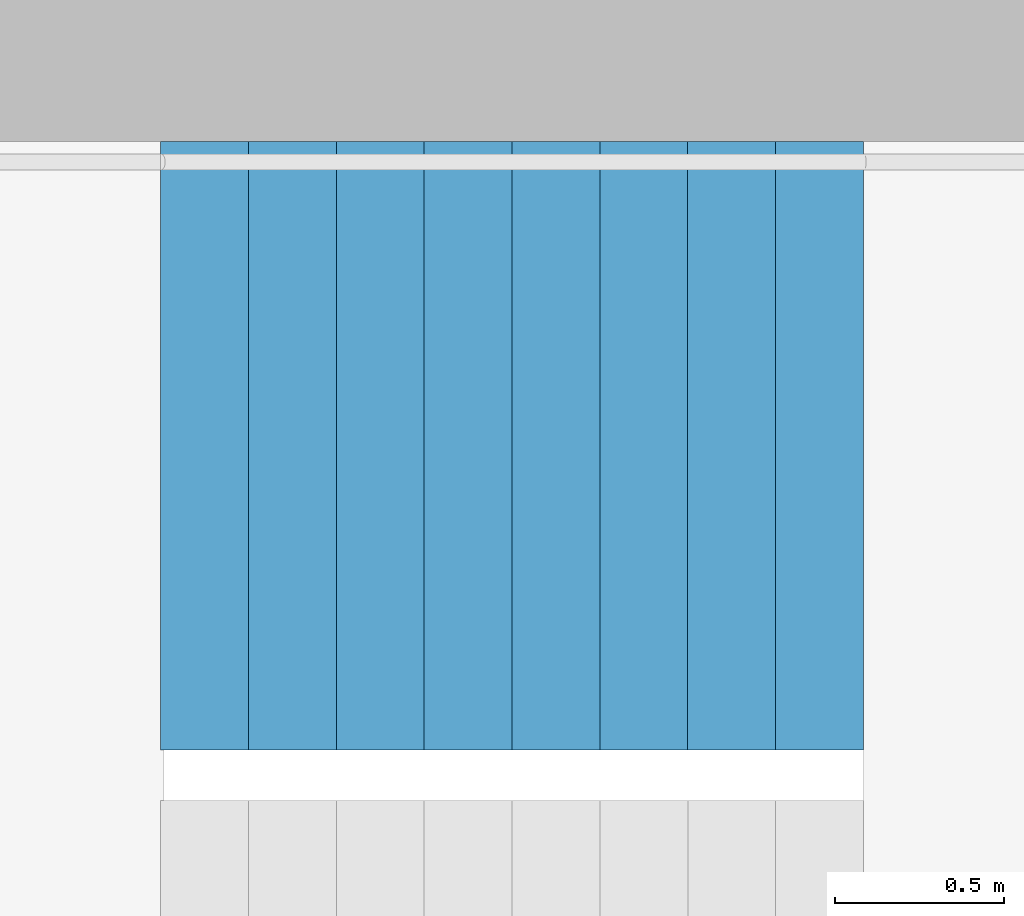
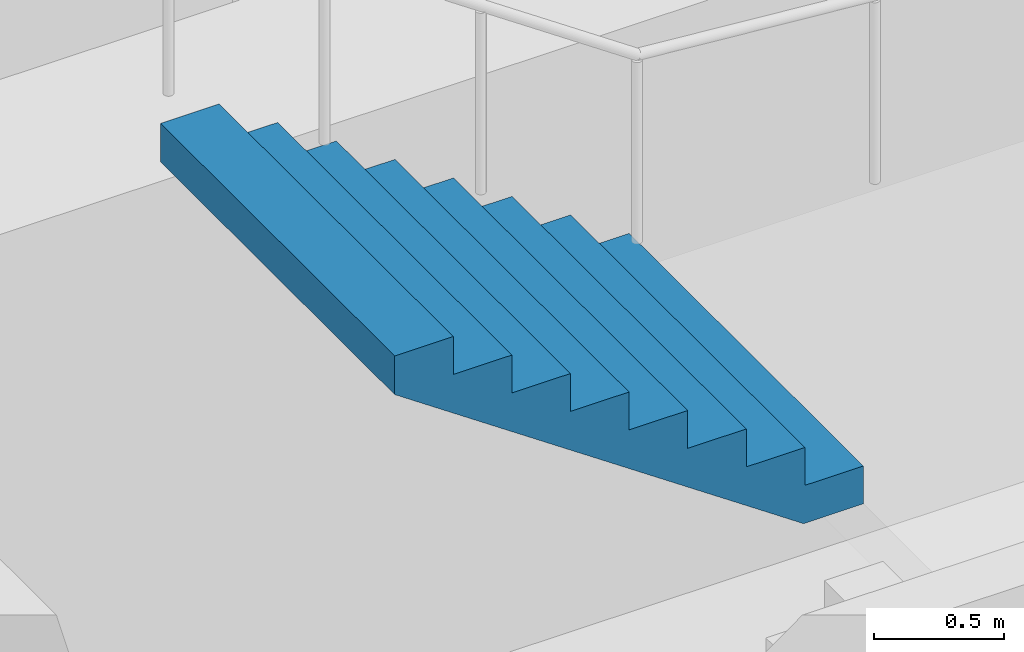
# One storey, part 22 of 27: 1 stair flight, 1 element without a shape of its own.
"""IFC4 building model written with IfcOpenShell, lengths in metres."""

from ifc_helpers import new_model, si_unit, direction, frame, origin, place, context, subcontext, project, spatial, triangles, material, type_object, element, aggregate, save


model = new_model("IFC4")

# Units and contexts
model_context = context("Model", 3, precision=1e-05, world=origin(), true_north=direction((0.0, 1.0)))
body_context = subcontext(model_context, "Body", "Model", "MODEL_VIEW")
ifc_project = project(units=[si_unit("LENGTHUNIT", "METRE"), si_unit("AREAUNIT", "SQUARE_METRE"), si_unit("VOLUMEUNIT", "CUBIC_METRE"), si_unit("PLANEANGLEUNIT", "RADIAN"), si_unit("MASSUNIT", "GRAM", prefix="KILO")], contexts=[model_context])

# Site, building, storey
site_placement = place(None, origin())
site = spatial("IfcSite", under=ifc_project, at=site_placement, CompositionType="ELEMENT")
building_placement = place(site_placement, origin())
building = spatial("IfcBuilding", under=site, at=building_placement, Name="Hakoniwa Tower and Hamabe Station Hall", CompositionType="ELEMENT")
storey_placement = place(building_placement, frame((0.0, 0.0, 166.199951171875)))
storey = spatial("IfcBuildingStorey", under=building, at=storey_placement, Name="L47", CompositionType="ELEMENT", Elevation=166.199951171875)

# Stair, stair flight
ifc_material_1 = material(Name="Concrete C40", Category="concrete")
stair_type = type_object("IfcStairType", Name="ESCAPE STAIR 1800", PredefinedType="HALF_TURN_STAIR", material=ifc_material_1)
stair_placement = place(storey_placement, origin())
stair = element("IfcStair", 1, at=stair_placement, inside=storey, type_object=stair_type, Name="Escape stair ST-1 L47", PredefinedType="HALF_TURN_STAIR")
ifc_material_2 = material(Name="Concrete C40", Category="concrete")
stair_flight_type = type_object("IfcStairFlightType", Name="STAIR FLIGHT 1800", PredefinedType="STRAIGHT", material=ifc_material_2)
stair_flight_placement = place(storey_placement, frame((-22.320068359375, 6.60009765625, 1.60009765625), z_axis=(0.0, 0.0, 1.0), x_axis=(-1.0, 0.0, 0.0)))
stair_flight = element("IfcStairFlight", 2, at=stair_flight_placement, type_object=stair_flight_type, Name="ST-1 flight 2", NumberOfRisers=9, NumberOfTreads=8, PredefinedType="STRAIGHT", RiserHeight=0.177777778, TreadLength=0.26, context=body_context, shape_type="Tessellation", body=[
    triangles([(0.0, 0.89990234375, 0.0), (0.260009765625, 0.89990234375, 0.0), (0.265625, 0.89990234375, 0.0), (0.52001953125, 0.89990234375, 0.174072265625), (0.780029296875, 0.89990234375, 0.351806640625), (1.0400390625, 0.89990234375, 0.529541015625), (1.300048828125, 0.89990234375, 0.707275390625), (1.56005859375, 0.89990234375, 0.885009765625), (1.820068359375, 0.89990234375, 1.062744140625), (2.080078125, 0.89990234375, 1.24072265625), (2.080078125, 0.89990234375, 1.422119140625), (1.820068359375, 0.89990234375, 1.422119140625), (1.820068359375, 0.89990234375, 1.244384765625), (1.56005859375, 0.89990234375, 1.244384765625), (1.56005859375, 0.89990234375, 1.066650390625), (1.300048828125, 0.89990234375, 1.066650390625), (1.300048828125, 0.89990234375, 0.888916015625), (1.0400390625, 0.89990234375, 0.888916015625), (1.0400390625, 0.89990234375, 0.711181640625), (0.780029296875, 0.89990234375, 0.711181640625), (0.780029296875, 0.89990234375, 0.533447265625), (0.52001953125, 0.89990234375, 0.533447265625), (0.52001953125, 0.89990234375, 0.35546875), (0.265625, 0.89990234375, 0.35546875), (0.260009765625, 0.89990234375, 0.35546875), (0.260009765625, 0.89990234375, 0.177734375), (0.0, 0.89990234375, 0.177734375), (0.0, 0.06005859375, 0.0), (0.260009765625, 0.06005859375, 0.0), (0.265625, 0.06005859375, 0.0), (0.52001953125, 0.06005859375, 0.174072265625), (0.780029296875, 0.06005859375, 0.351806640625), (1.0400390625, 0.06005859375, 0.529541015625), (1.300048828125, 0.06005859375, 0.707275390625), (1.56005859375, 0.06005859375, 0.885009765625), (1.820068359375, 0.06005859375, 1.062744140625), (2.080078125, 0.06005859375, 1.24072265625), (2.080078125, 0.06005859375, 1.422119140625), (1.820068359375, 0.06005859375, 1.422119140625), (1.820068359375, 0.06005859375, 1.244384765625), (1.56005859375, 0.06005859375, 1.244384765625), (1.56005859375, 0.06005859375, 1.066650390625), (1.300048828125, 0.06005859375, 1.066650390625), (1.300048828125, 0.06005859375, 0.888916015625), (1.0400390625, 0.06005859375, 0.888916015625), (1.0400390625, 0.06005859375, 0.711181640625), (0.780029296875, 0.06005859375, 0.711181640625), (0.780029296875, 0.06005859375, 0.533447265625), (0.52001953125, 0.06005859375, 0.533447265625), (0.52001953125, 0.06005859375, 0.35546875), (0.265625, 0.06005859375, 0.35546875), (0.260009765625, 0.06005859375, 0.35546875), (0.260009765625, 0.06005859375, 0.177734375), (0.0, 0.06005859375, 0.177734375), (0.0, 0.04296875, 0.0), (0.260009765625, 0.04296875, 0.0), (0.265625, 0.04296875, 0.0), (0.52001953125, 0.04296875, 0.174072265625), (0.780029296875, 0.04296875, 0.351806640625), (1.0400390625, 0.04296875, 0.529541015625), (1.300048828125, 0.04296875, 0.707275390625), (1.56005859375, 0.04296875, 0.885009765625), (1.820068359375, 0.04296875, 1.062744140625), (2.080078125, 0.04296875, 1.24072265625), (2.080078125, 0.04296875, 1.422119140625), (1.820068359375, 0.04296875, 1.422119140625), (1.820068359375, 0.04296875, 1.244384765625), (1.56005859375, 0.04296875, 1.244384765625), (1.56005859375, 0.04296875, 1.066650390625), (1.300048828125, 0.04296875, 1.066650390625), (1.300048828125, 0.04296875, 0.888916015625), (1.0400390625, 0.04296875, 0.888916015625), (1.0400390625, 0.04296875, 0.711181640625), (0.780029296875, 0.04296875, 0.711181640625), (0.780029296875, 0.04296875, 0.533447265625), (0.52001953125, 0.04296875, 0.533447265625), (0.52001953125, 0.04296875, 0.35546875), (0.265625, 0.04296875, 0.35546875), (0.260009765625, 0.04296875, 0.35546875), (0.260009765625, 0.04296875, 0.177734375), (0.0, 0.04296875, 0.177734375), (0.0, 0.025634765625, 0.0), (0.260009765625, 0.025634765625, 0.0), (0.265625, 0.025634765625, 0.0), (0.52001953125, 0.025634765625, 0.174072265625), (0.780029296875, 0.025634765625, 0.351806640625), (1.0400390625, 0.025634765625, 0.529541015625), (1.300048828125, 0.025634765625, 0.707275390625), (1.56005859375, 0.025634765625, 0.885009765625), (1.820068359375, 0.025634765625, 1.062744140625), (2.080078125, 0.025634765625, 1.24072265625), (2.080078125, 0.025634765625, 1.422119140625), (1.820068359375, 0.025634765625, 1.422119140625), (1.820068359375, 0.025634765625, 1.244384765625), (1.56005859375, 0.025634765625, 1.244384765625), (1.56005859375, 0.025634765625, 1.066650390625), (1.300048828125, 0.025634765625, 1.066650390625), (1.300048828125, 0.025634765625, 0.888916015625), (1.0400390625, 0.025634765625, 0.888916015625), (1.0400390625, 0.025634765625, 0.711181640625), (0.780029296875, 0.025634765625, 0.711181640625), (0.780029296875, 0.025634765625, 0.533447265625), (0.52001953125, 0.025634765625, 0.533447265625), (0.52001953125, 0.025634765625, 0.35546875), (0.265625, 0.025634765625, 0.35546875), (0.260009765625, 0.025634765625, 0.35546875), (0.260009765625, 0.025634765625, 0.177734375), (0.0, 0.025634765625, 0.177734375), (0.0, 0.008544921875, 0.0), (0.260009765625, 0.008544921875, 0.0), (0.265625, 0.008544921875, 0.0), (0.52001953125, 0.008544921875, 0.174072265625), (0.780029296875, 0.008544921875, 0.351806640625), (1.0400390625, 0.008544921875, 0.529541015625), (1.300048828125, 0.008544921875, 0.707275390625), (1.56005859375, 0.008544921875, 0.885009765625), (1.820068359375, 0.008544921875, 1.062744140625), (2.080078125, 0.008544921875, 1.24072265625), (2.080078125, 0.008544921875, 1.422119140625), (1.820068359375, 0.008544921875, 1.422119140625), (1.820068359375, 0.008544921875, 1.244384765625), (1.56005859375, 0.008544921875, 1.244384765625), (1.56005859375, 0.008544921875, 1.066650390625), (1.300048828125, 0.008544921875, 1.066650390625), (1.300048828125, 0.008544921875, 0.888916015625), (1.0400390625, 0.008544921875, 0.888916015625), (1.0400390625, 0.008544921875, 0.711181640625), (0.780029296875, 0.008544921875, 0.711181640625), (0.780029296875, 0.008544921875, 0.533447265625), (0.52001953125, 0.008544921875, 0.533447265625), (0.52001953125, 0.008544921875, 0.35546875), (0.265625, 0.008544921875, 0.35546875), (0.260009765625, 0.008544921875, 0.35546875), (0.260009765625, 0.008544921875, 0.177734375), (0.0, 0.008544921875, 0.177734375), (0.0, -0.008544921875, 0.0), (0.260009765625, -0.008544921875, 0.0), (0.265625, -0.008544921875, 0.0), (0.52001953125, -0.008544921875, 0.174072265625), (0.780029296875, -0.008544921875, 0.351806640625), (1.0400390625, -0.008544921875, 0.529541015625), (1.300048828125, -0.008544921875, 0.707275390625), (1.56005859375, -0.008544921875, 0.885009765625), (1.820068359375, -0.008544921875, 1.062744140625), (2.080078125, -0.008544921875, 1.24072265625), (2.080078125, -0.008544921875, 1.422119140625), (1.820068359375, -0.008544921875, 1.422119140625), (1.820068359375, -0.008544921875, 1.244384765625), (1.56005859375, -0.008544921875, 1.244384765625), (1.56005859375, -0.008544921875, 1.066650390625), (1.300048828125, -0.008544921875, 1.066650390625), (1.300048828125, -0.008544921875, 0.888916015625), (1.0400390625, -0.008544921875, 0.888916015625), (1.0400390625, -0.008544921875, 0.711181640625), (0.780029296875, -0.008544921875, 0.711181640625), (0.780029296875, -0.008544921875, 0.533447265625), (0.52001953125, -0.008544921875, 0.533447265625), (0.52001953125, -0.008544921875, 0.35546875), (0.265625, -0.008544921875, 0.35546875), (0.260009765625, -0.008544921875, 0.35546875), (0.260009765625, -0.008544921875, 0.177734375), (0.0, -0.008544921875, 0.177734375), (0.0, -0.025634765625, 0.0), (0.260009765625, -0.025634765625, 0.0), (0.265625, -0.025634765625, 0.0), (0.52001953125, -0.025634765625, 0.174072265625), (0.780029296875, -0.025634765625, 0.351806640625), (1.0400390625, -0.025634765625, 0.529541015625), (1.300048828125, -0.025634765625, 0.707275390625), (1.56005859375, -0.025634765625, 0.885009765625), (1.820068359375, -0.025634765625, 1.062744140625), (2.080078125, -0.025634765625, 1.24072265625), (2.080078125, -0.025634765625, 1.422119140625), (1.820068359375, -0.025634765625, 1.422119140625), (1.820068359375, -0.025634765625, 1.244384765625), (1.56005859375, -0.025634765625, 1.244384765625), (1.56005859375, -0.025634765625, 1.066650390625), (1.300048828125, -0.025634765625, 1.066650390625), (1.300048828125, -0.025634765625, 0.888916015625), (1.0400390625, -0.025634765625, 0.888916015625), (1.0400390625, -0.025634765625, 0.711181640625), (0.780029296875, -0.025634765625, 0.711181640625), (0.780029296875, -0.025634765625, 0.533447265625), (0.52001953125, -0.025634765625, 0.533447265625), (0.52001953125, -0.025634765625, 0.35546875), (0.265625, -0.025634765625, 0.35546875), (0.260009765625, -0.025634765625, 0.35546875), (0.260009765625, -0.025634765625, 0.177734375), (0.0, -0.025634765625, 0.177734375), (0.0, -0.04296875, 0.0), (0.260009765625, -0.04296875, 0.0), (0.265625, -0.04296875, 0.0), (0.52001953125, -0.04296875, 0.174072265625), (0.780029296875, -0.04296875, 0.351806640625), (1.0400390625, -0.04296875, 0.529541015625), (1.300048828125, -0.04296875, 0.707275390625), (1.56005859375, -0.04296875, 0.885009765625), (1.820068359375, -0.04296875, 1.062744140625), (2.080078125, -0.04296875, 1.24072265625), (2.080078125, -0.04296875, 1.422119140625), (1.820068359375, -0.04296875, 1.422119140625), (1.820068359375, -0.04296875, 1.244384765625), (1.56005859375, -0.04296875, 1.244384765625), (1.56005859375, -0.04296875, 1.066650390625), (1.300048828125, -0.04296875, 1.066650390625), (1.300048828125, -0.04296875, 0.888916015625), (1.0400390625, -0.04296875, 0.888916015625), (1.0400390625, -0.04296875, 0.711181640625), (0.780029296875, -0.04296875, 0.711181640625), (0.780029296875, -0.04296875, 0.533447265625), (0.52001953125, -0.04296875, 0.533447265625), (0.52001953125, -0.04296875, 0.35546875), (0.265625, -0.04296875, 0.35546875), (0.260009765625, -0.04296875, 0.35546875), (0.260009765625, -0.04296875, 0.177734375), (0.0, -0.04296875, 0.177734375), (0.0, -0.06005859375, 0.0), (0.260009765625, -0.06005859375, 0.0), (0.265625, -0.06005859375, 0.0), (0.52001953125, -0.06005859375, 0.174072265625), (0.780029296875, -0.06005859375, 0.351806640625), (1.0400390625, -0.06005859375, 0.529541015625), (1.300048828125, -0.06005859375, 0.707275390625), (1.56005859375, -0.06005859375, 0.885009765625), (1.820068359375, -0.06005859375, 1.062744140625), (2.080078125, -0.06005859375, 1.24072265625), (2.080078125, -0.06005859375, 1.422119140625), (1.820068359375, -0.06005859375, 1.422119140625), (1.820068359375, -0.06005859375, 1.244384765625), (1.56005859375, -0.06005859375, 1.244384765625), (1.56005859375, -0.06005859375, 1.066650390625), (1.300048828125, -0.06005859375, 1.066650390625), (1.300048828125, -0.06005859375, 0.888916015625), (1.0400390625, -0.06005859375, 0.888916015625), (1.0400390625, -0.06005859375, 0.711181640625), (0.780029296875, -0.06005859375, 0.711181640625), (0.780029296875, -0.06005859375, 0.533447265625), (0.52001953125, -0.06005859375, 0.533447265625), (0.52001953125, -0.06005859375, 0.35546875), (0.265625, -0.06005859375, 0.35546875), (0.260009765625, -0.06005859375, 0.35546875), (0.260009765625, -0.06005859375, 0.177734375), (0.0, -0.06005859375, 0.177734375), (0.0, -0.89990234375, 0.0), (0.260009765625, -0.89990234375, 0.0), (0.265625, -0.89990234375, 0.0), (0.52001953125, -0.89990234375, 0.174072265625), (0.780029296875, -0.89990234375, 0.351806640625), (1.0400390625, -0.89990234375, 0.529541015625), (1.300048828125, -0.89990234375, 0.707275390625), (1.56005859375, -0.89990234375, 0.885009765625), (1.820068359375, -0.89990234375, 1.062744140625), (2.080078125, -0.89990234375, 1.24072265625), (2.080078125, -0.89990234375, 1.422119140625), (1.820068359375, -0.89990234375, 1.422119140625), (1.820068359375, -0.89990234375, 1.244384765625), (1.56005859375, -0.89990234375, 1.244384765625), (1.56005859375, -0.89990234375, 1.066650390625), (1.300048828125, -0.89990234375, 1.066650390625), (1.300048828125, -0.89990234375, 0.888916015625), (1.0400390625, -0.89990234375, 0.888916015625), (1.0400390625, -0.89990234375, 0.711181640625), (0.780029296875, -0.89990234375, 0.711181640625), (0.780029296875, -0.89990234375, 0.533447265625), (0.52001953125, -0.89990234375, 0.533447265625), (0.52001953125, -0.89990234375, 0.35546875), (0.265625, -0.89990234375, 0.35546875), (0.260009765625, -0.89990234375, 0.35546875), (0.260009765625, -0.89990234375, 0.177734375), (0.0, -0.89990234375, 0.177734375)], [[2, 27, 26], [245, 269, 270], [2, 1, 27], [245, 270, 244], [3, 25, 24], [246, 267, 268], [3, 26, 25], [246, 268, 269], [3, 2, 26], [246, 269, 245], [4, 24, 23], [247, 266, 267], [4, 3, 24], [247, 267, 246], [5, 22, 21], [248, 264, 265], [5, 23, 22], [248, 265, 266], [5, 4, 23], [248, 266, 247], [6, 20, 19], [249, 262, 263], [6, 21, 20], [249, 263, 264], [6, 5, 21], [249, 264, 248], [7, 18, 17], [250, 260, 261], [7, 19, 18], [250, 261, 262], [7, 6, 19], [250, 262, 249], [8, 16, 15], [251, 258, 259], [8, 17, 16], [251, 259, 260], [8, 7, 17], [251, 260, 250], [9, 14, 13], [252, 256, 257], [9, 15, 14], [252, 257, 258], [9, 8, 15], [252, 258, 251], [10, 12, 11], [253, 254, 255], [10, 13, 12], [253, 255, 256], [10, 9, 13], [253, 256, 252], [1, 2, 29], [1, 29, 28], [28, 29, 56], [28, 56, 55], [55, 56, 83], [55, 83, 82], [82, 83, 110], [82, 110, 109], [109, 110, 137], [109, 137, 136], [136, 137, 164], [136, 164, 163], [163, 164, 191], [163, 191, 190], [190, 191, 218], [190, 218, 217], [217, 218, 245], [217, 245, 244], [2, 3, 30], [2, 30, 29], [29, 30, 57], [29, 57, 56], [56, 57, 84], [56, 84, 83], [83, 84, 111], [83, 111, 110], [110, 111, 138], [110, 138, 137], [137, 138, 165], [137, 165, 164], [164, 165, 192], [164, 192, 191], [191, 192, 219], [191, 219, 218], [218, 219, 246], [218, 246, 245], [3, 4, 31], [3, 31, 30], [30, 31, 58], [30, 58, 57], [57, 58, 85], [57, 85, 84], [84, 85, 112], [84, 112, 111], [111, 112, 139], [111, 139, 138], [138, 139, 166], [138, 166, 165], [165, 166, 193], [165, 193, 192], [192, 193, 220], [192, 220, 219], [219, 220, 247], [219, 247, 246], [4, 5, 32], [4, 32, 31], [31, 32, 59], [31, 59, 58], [58, 59, 86], [58, 86, 85], [85, 86, 113], [85, 113, 112], [112, 113, 140], [112, 140, 139], [139, 140, 167], [139, 167, 166], [166, 167, 194], [166, 194, 193], [193, 194, 221], [193, 221, 220], [220, 221, 248], [220, 248, 247], [5, 6, 33], [5, 33, 32], [32, 33, 60], [32, 60, 59], [59, 60, 87], [59, 87, 86], [86, 87, 114], [86, 114, 113], [113, 114, 141], [113, 141, 140], [140, 141, 168], [140, 168, 167], [167, 168, 195], [167, 195, 194], [194, 195, 222], [194, 222, 221], [221, 222, 249], [221, 249, 248], [6, 7, 34], [6, 34, 33], [33, 34, 61], [33, 61, 60], [60, 61, 88], [60, 88, 87], [87, 88, 115], [87, 115, 114], [114, 115, 142], [114, 142, 141], [141, 142, 169], [141, 169, 168], [168, 169, 196], [168, 196, 195], [195, 196, 223], [195, 223, 222], [222, 223, 250], [222, 250, 249], [7, 8, 35], [7, 35, 34], [34, 35, 62], [34, 62, 61], [61, 62, 89], [61, 89, 88], [88, 89, 116], [88, 116, 115], [115, 116, 143], [115, 143, 142], [142, 143, 170], [142, 170, 169], [169, 170, 197], [169, 197, 196], [196, 197, 224], [196, 224, 223], [223, 224, 251], [223, 251, 250], [8, 9, 36], [8, 36, 35], [35, 36, 63], [35, 63, 62], [62, 63, 90], [62, 90, 89], [89, 90, 117], [89, 117, 116], [116, 117, 144], [116, 144, 143], [143, 144, 171], [143, 171, 170], [170, 171, 198], [170, 198, 197], [197, 198, 225], [197, 225, 224], [224, 225, 252], [224, 252, 251], [9, 10, 37], [9, 37, 36], [36, 37, 64], [36, 64, 63], [63, 64, 91], [63, 91, 90], [90, 91, 118], [90, 118, 117], [117, 118, 145], [117, 145, 144], [144, 145, 172], [144, 172, 171], [171, 172, 199], [171, 199, 198], [198, 199, 226], [198, 226, 225], [225, 226, 253], [225, 253, 252], [10, 11, 38], [10, 38, 37], [37, 38, 65], [37, 65, 64], [64, 65, 92], [64, 92, 91], [91, 92, 119], [91, 119, 118], [118, 119, 146], [118, 146, 145], [145, 146, 173], [145, 173, 172], [172, 173, 200], [172, 200, 199], [199, 200, 227], [199, 227, 226], [226, 227, 254], [226, 254, 253], [11, 12, 39], [11, 39, 38], [38, 39, 66], [38, 66, 65], [65, 66, 93], [65, 93, 92], [92, 93, 120], [92, 120, 119], [119, 120, 147], [119, 147, 146], [146, 147, 174], [146, 174, 173], [173, 174, 201], [173, 201, 200], [200, 201, 228], [200, 228, 227], [227, 228, 255], [227, 255, 254], [12, 13, 40], [12, 40, 39], [39, 40, 67], [39, 67, 66], [66, 67, 94], [66, 94, 93], [93, 94, 121], [93, 121, 120], [120, 121, 148], [120, 148, 147], [147, 148, 175], [147, 175, 174], [174, 175, 202], [174, 202, 201], [201, 202, 229], [201, 229, 228], [228, 229, 256], [228, 256, 255], [13, 14, 41], [13, 41, 40], [40, 41, 68], [40, 68, 67], [67, 68, 95], [67, 95, 94], [94, 95, 122], [94, 122, 121], [121, 122, 149], [121, 149, 148], [148, 149, 176], [148, 176, 175], [175, 176, 203], [175, 203, 202], [202, 203, 230], [202, 230, 229], [229, 230, 257], [229, 257, 256], [14, 15, 42], [14, 42, 41], [41, 42, 69], [41, 69, 68], [68, 69, 96], [68, 96, 95], [95, 96, 123], [95, 123, 122], [122, 123, 150], [122, 150, 149], [149, 150, 177], [149, 177, 176], [176, 177, 204], [176, 204, 203], [203, 204, 231], [203, 231, 230], [230, 231, 258], [230, 258, 257], [15, 16, 43], [15, 43, 42], [42, 43, 70], [42, 70, 69], [69, 70, 97], [69, 97, 96], [96, 97, 124], [96, 124, 123], [123, 124, 151], [123, 151, 150], [150, 151, 178], [150, 178, 177], [177, 178, 205], [177, 205, 204], [204, 205, 232], [204, 232, 231], [231, 232, 259], [231, 259, 258], [16, 17, 44], [16, 44, 43], [43, 44, 71], [43, 71, 70], [70, 71, 98], [70, 98, 97], [97, 98, 125], [97, 125, 124], [124, 125, 152], [124, 152, 151], [151, 152, 179], [151, 179, 178], [178, 179, 206], [178, 206, 205], [205, 206, 233], [205, 233, 232], [232, 233, 260], [232, 260, 259], [17, 18, 45], [17, 45, 44], [44, 45, 72], [44, 72, 71], [71, 72, 99], [71, 99, 98], [98, 99, 126], [98, 126, 125], [125, 126, 153], [125, 153, 152], [152, 153, 180], [152, 180, 179], [179, 180, 207], [179, 207, 206], [206, 207, 234], [206, 234, 233], [233, 234, 261], [233, 261, 260], [18, 19, 46], [18, 46, 45], [45, 46, 73], [45, 73, 72], [72, 73, 100], [72, 100, 99], [99, 100, 127], [99, 127, 126], [126, 127, 154], [126, 154, 153], [153, 154, 181], [153, 181, 180], [180, 181, 208], [180, 208, 207], [207, 208, 235], [207, 235, 234], [234, 235, 262], [234, 262, 261], [19, 20, 47], [19, 47, 46], [46, 47, 74], [46, 74, 73], [73, 74, 101], [73, 101, 100], [100, 101, 128], [100, 128, 127], [127, 128, 155], [127, 155, 154], [154, 155, 182], [154, 182, 181], [181, 182, 209], [181, 209, 208], [208, 209, 236], [208, 236, 235], [235, 236, 263], [235, 263, 262], [20, 21, 48], [20, 48, 47], [47, 48, 75], [47, 75, 74], [74, 75, 102], [74, 102, 101], [101, 102, 129], [101, 129, 128], [128, 129, 156], [128, 156, 155], [155, 156, 183], [155, 183, 182], [182, 183, 210], [182, 210, 209], [209, 210, 237], [209, 237, 236], [236, 237, 264], [236, 264, 263], [21, 22, 49], [21, 49, 48], [48, 49, 76], [48, 76, 75], [75, 76, 103], [75, 103, 102], [102, 103, 130], [102, 130, 129], [129, 130, 157], [129, 157, 156], [156, 157, 184], [156, 184, 183], [183, 184, 211], [183, 211, 210], [210, 211, 238], [210, 238, 237], [237, 238, 265], [237, 265, 264], [22, 23, 50], [22, 50, 49], [49, 50, 77], [49, 77, 76], [76, 77, 104], [76, 104, 103], [103, 104, 131], [103, 131, 130], [130, 131, 158], [130, 158, 157], [157, 158, 185], [157, 185, 184], [184, 185, 212], [184, 212, 211], [211, 212, 239], [211, 239, 238], [238, 239, 266], [238, 266, 265], [23, 24, 51], [23, 51, 50], [50, 51, 78], [50, 78, 77], [77, 78, 105], [77, 105, 104], [104, 105, 132], [104, 132, 131], [131, 132, 159], [131, 159, 158], [158, 159, 186], [158, 186, 185], [185, 186, 213], [185, 213, 212], [212, 213, 240], [212, 240, 239], [239, 240, 267], [239, 267, 266], [24, 25, 52], [24, 52, 51], [51, 52, 79], [51, 79, 78], [78, 79, 106], [78, 106, 105], [105, 106, 133], [105, 133, 132], [132, 133, 160], [132, 160, 159], [159, 160, 187], [159, 187, 186], [186, 187, 214], [186, 214, 213], [213, 214, 241], [213, 241, 240], [240, 241, 268], [240, 268, 267], [25, 26, 53], [25, 53, 52], [52, 53, 80], [52, 80, 79], [79, 80, 107], [79, 107, 106], [106, 107, 134], [106, 134, 133], [133, 134, 161], [133, 161, 160], [160, 161, 188], [160, 188, 187], [187, 188, 215], [187, 215, 214], [214, 215, 242], [214, 242, 241], [241, 242, 269], [241, 269, 268], [26, 27, 54], [26, 54, 53], [53, 54, 81], [53, 81, 80], [80, 81, 108], [80, 108, 107], [107, 108, 135], [107, 135, 134], [134, 135, 162], [134, 162, 161], [161, 162, 189], [161, 189, 188], [188, 189, 216], [188, 216, 215], [215, 216, 243], [215, 243, 242], [242, 243, 270], [242, 270, 269], [27, 1, 28], [27, 28, 54], [54, 28, 55], [54, 55, 81], [81, 55, 82], [81, 82, 108], [108, 82, 109], [108, 109, 135], [135, 109, 136], [135, 136, 162], [162, 136, 163], [162, 163, 189], [189, 163, 190], [189, 190, 216], [216, 190, 217], [216, 217, 243], [243, 217, 244], [243, 244, 270]], closed=True),
])
aggregate(stair, [stair_flight])

save(model, "model.ifc")
